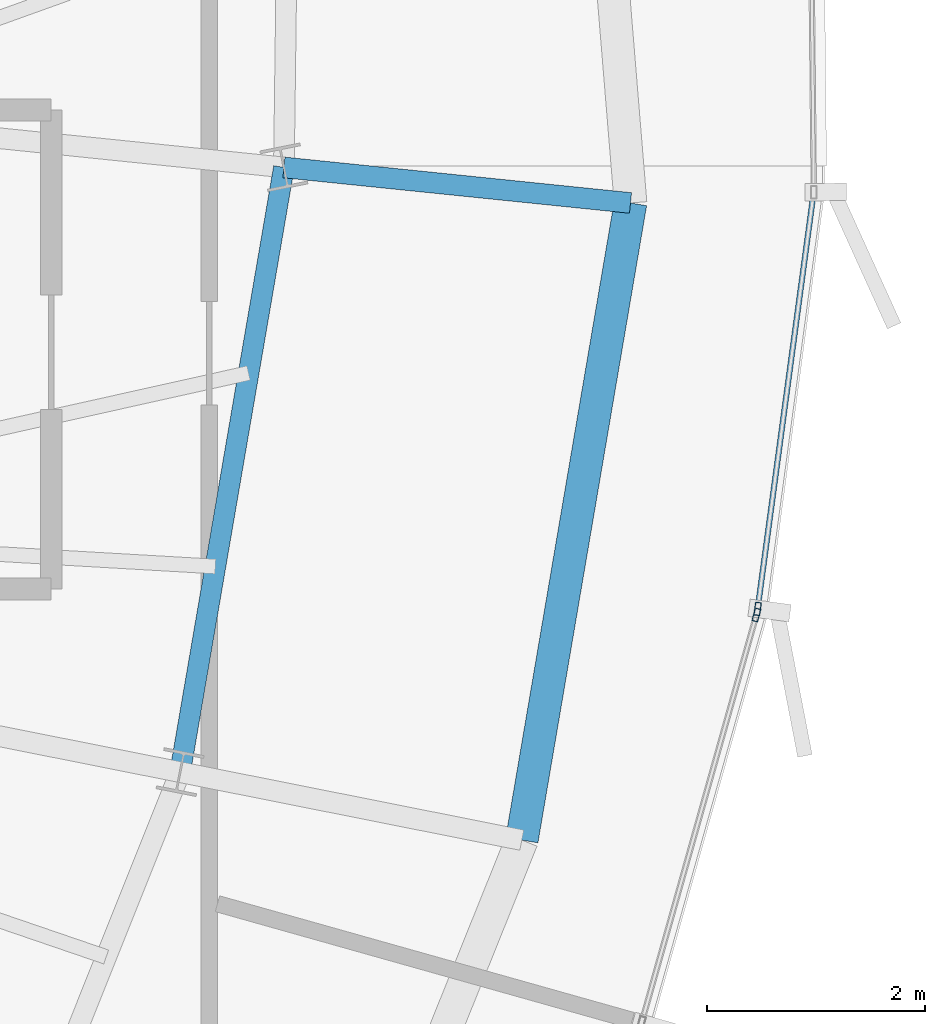
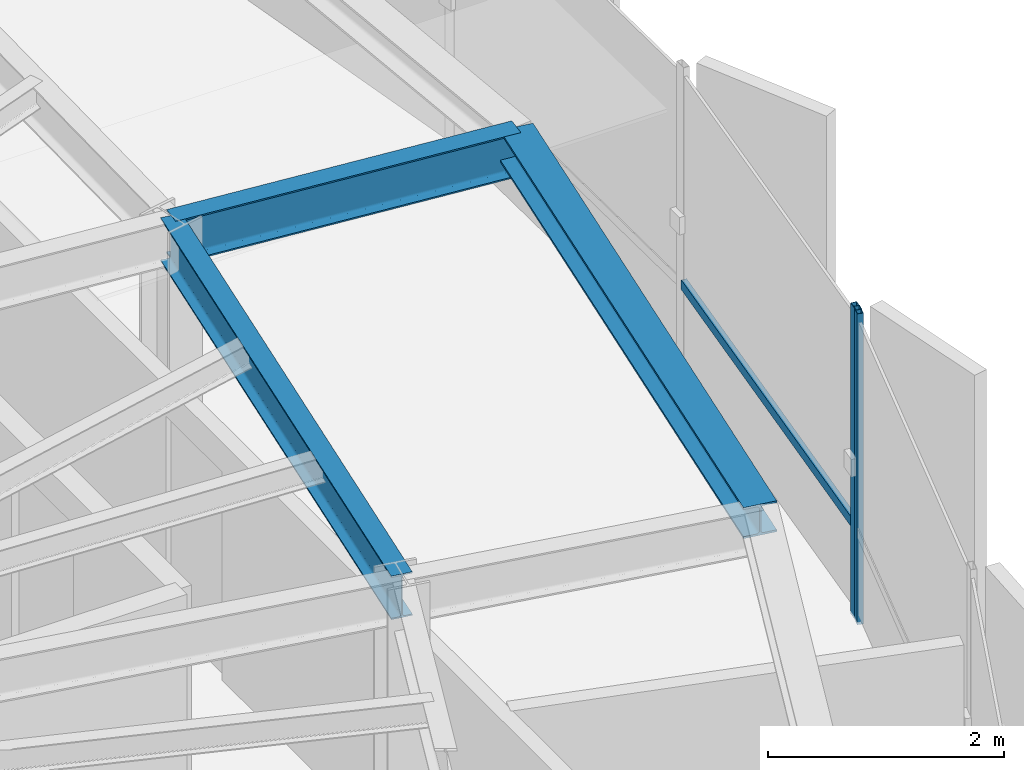
# One storey, part 15 of 31: 3 beams, 3 members, 2 elements without a shape of their own.
"""IFC4 building model written with IfcOpenShell, lengths in metres."""

from ifc_helpers import new_model, si_unit, direction, frame, origin, origin_2d, place, context, subcontext, project, spatial, hollow_rectangle, i_section, extrude, source, transform, mapped, material, layer, layer_set, material_profile, profile_set, type_object, element, aggregate, save


model = new_model("IFC4")

# Units and contexts
model_context = context("Model", 3, precision=1e-05, world=origin(), true_north=direction((0.0, 1.0)))
body_context = subcontext(model_context, "Body", "Model", "MODEL_VIEW")
ifc_project = project(units=[si_unit("LENGTHUNIT", "METRE"), si_unit("AREAUNIT", "SQUARE_METRE"), si_unit("VOLUMEUNIT", "CUBIC_METRE"), si_unit("PLANEANGLEUNIT", "RADIAN"), si_unit("MASSUNIT", "GRAM", prefix="KILO"), si_unit("THERMODYNAMICTEMPERATUREUNIT", "KELVIN")], contexts=[model_context])

# Site, building, storey
site_placement = place(None, origin())
site = spatial("IfcSite", under=ifc_project, at=site_placement, CompositionType="ELEMENT")
building_placement = place(site_placement, origin())
building = spatial("IfcBuilding", under=site, at=building_placement, Name="Kethvar Cultural Tower", CompositionType="ELEMENT")
storey_placement = place(building_placement, frame((0.0, 0.0, 283.60009765625)))
storey = spatial("IfcBuildingStorey", under=building, at=storey_placement, Name="L75", CompositionType="ELEMENT", Elevation=283.60009765625)

# Beams
ifc_material_1 = material(Name="Steel S355J2", Category="steel")
ifc_material_profile_1 = material_profile(ifc_material_1, i_section(OverallWidth=0.18994140625, OverallDepth=0.449951171875, WebThickness=0.009521484375, FlangeThickness=0.0146484375, FilletRadius=0.02099609375, at=origin_2d()), Name="Steel S355J2 — IPE450")
ifc_profile_set_1 = profile_set([ifc_material_profile_1], Name="Steel S355J2 — IPE450")
beam_type_1 = type_object("IfcBeamType", Name="BM-IPE450", PredefinedType="BEAM", material=ifc_profile_set_1)
shared_shape_1 = source(origin(), body_context, "Body", "SweptSolid", [
    extrude(i_section(OverallWidth=0.18994140625, OverallDepth=0.449951171875, WebThickness=0.009521484375, FlangeThickness=0.0146484375, FilletRadius=0.02099609375, at=origin_2d()), origin(), (0.0, 0.0, 1.0), 3.199951171875),
])
beam_1_placement = place(storey_placement, frame((61.237060546875, 30.671630859375, 2.98291015625), z_axis=(0.994784019447, -0.10200369921, 0.0), x_axis=(0.10200369921, 0.994784019447, 0.0)))
element("IfcBeam", 1, at=beam_1_placement, inside=storey, type_object=beam_type_1, Name="L75 Perimeter Cantilever Beam RC-01", PredefinedType="BEAM", context=body_context, shape_type="MappedRepresentation", body=[
    mapped(shared_shape_1, transform((0.0, 0.0, 0.0), scale=1.0)),
])
shared_shape_2 = source(origin(), body_context, "Body", "SweptSolid", [
    extrude(i_section(OverallWidth=0.18994140625, OverallDepth=0.449951171875, WebThickness=0.009521484375, FlangeThickness=0.0146484375, FilletRadius=0.02099609375, at=origin_2d()), origin(), (0.0, 0.0, 1.0), 5.635009765625),
])
beam_2_placement = place(storey_placement, frame((60.28369140625, 25.117919921875, 2.98291015625), z_axis=(0.169188687614, 0.985583678834, 0.0), x_axis=(-0.985583678834, 0.169188687614, 0.0)))
element("IfcBeam", 2, at=beam_2_placement, inside=storey, type_object=beam_type_1, Name="L75 Column Ring Tie Beam CR-16", PredefinedType="BEAM", context=body_context, shape_type="MappedRepresentation", body=[
    mapped(shared_shape_2, transform((0.0, 0.0, 0.0), scale=1.0)),
])
ifc_material_profile_2 = material_profile(ifc_material_1, i_section(OverallWidth=0.300048828125, OverallDepth=0.320068359375, WebThickness=0.011474609375, FlangeThickness=0.0205078125, FilletRadius=0.027099609375, at=origin_2d()), Name="Steel S355J2 — HEB320")
ifc_profile_set_2 = profile_set([ifc_material_profile_2], Name="Steel S355J2 — HEB320")
beam_type_2 = type_object("IfcBeamType", Name="BM-SP320", PredefinedType="SPANDREL", material=ifc_profile_set_2)
shared_shape_3 = source(origin(), body_context, "Body", "SweptSolid", [
    extrude(i_section(OverallWidth=0.300048828125, OverallDepth=0.320068359375, WebThickness=0.011474609375, FlangeThickness=0.0205078125, FilletRadius=0.027099609375, at=origin_2d()), origin(), (0.0, 0.0, 1.0), 5.93603515625),
])
beam_3_placement = place(storey_placement, frame((63.422119140625, 24.49365234375, 3.0478515625), z_axis=(0.16817267321, 0.985757552335, 0.0), x_axis=(-0.985757552335, 0.16817267321, 0.0)))
element("IfcBeam", 3, at=beam_3_placement, inside=storey, type_object=beam_type_2, Name="L75 Perimeter Spandrel Beam SP-16", PredefinedType="SPANDREL", context=body_context, shape_type="MappedRepresentation", body=[
    mapped(shared_shape_3, transform((0.0, 0.0, 0.0), scale=1.0)),
])

# Curtain wall, member
ifc_material_2 = material(Name="Aluminium 6063-T6", Category="aluminium")
ifc_layer = layer(ifc_material_2, 0.179931640625, Name="Aluminium 6063-T6", Category="aluminium")
ifc_layer_set = layer_set([ifc_layer], Name="Aluminium 6063-T6 (180 mm)")
curtain_wall_type = type_object("IfcCurtainWallType", Name="CW-SYS-05-Z56", PredefinedType="NOTDEFINED", material=ifc_layer_set)
curtain_wall_1_placement = place(storey_placement, origin())
curtain_wall_1 = element("IfcCurtainWall", 4, at=curtain_wall_1_placement, inside=storey, type_object=curtain_wall_type, Name="L75 Curtain Wall Run 05", PredefinedType="NOTDEFINED")
ifc_material_profile_3 = material_profile(ifc_material_2, hollow_rectangle(XDim=0.054931640625, YDim=0.1201171875, WallThickness=0.00390625, at=origin_2d()), Name="Aluminium 6063-T6 — RHS120x55x4")
ifc_profile_set_3 = profile_set([ifc_material_profile_3], Name="Aluminium 6063-T6 — RHS120x55x4")
member_type_1 = type_object("IfcMemberType", Name="CW-SYS-05-Z56-MUL", PredefinedType="MULLION", material=ifc_profile_set_3)
shared_shape_4 = source(origin(), body_context, "Body", "SweptSolid", [
    extrude(hollow_rectangle(XDim=0.054931640625, YDim=0.1201171875, WallThickness=0.00390625, at=origin_2d()), origin(), (0.0, 0.0, 1.0), 3.2099609375),
])
member_1_placement = place(storey_placement, frame((65.576416015625, 26.56103515625, 0.0), z_axis=(0.0, 0.0, 1.0), x_axis=(-0.962592501523, 0.270953272746, 0.0)))
member_1 = element("IfcMember", 5, at=member_1_placement, type_object=member_type_1, Name="CW-L75-R05 Mullion 7", PredefinedType="MULLION", context=body_context, shape_type="MappedRepresentation", body=[
    mapped(shared_shape_4, transform((0.0, 0.0, 0.0), scale=1.0)),
])
aggregate(curtain_wall_1, [member_1])

# Curtain wall, members
curtain_wall_2_placement = place(storey_placement, origin())
curtain_wall_2 = element("IfcCurtainWall", 6, at=curtain_wall_2_placement, inside=storey, type_object=curtain_wall_type, Name="L75 Curtain Wall Run 06", PredefinedType="NOTDEFINED")
member_2_placement = place(storey_placement, frame((65.587890625, 26.6171875, 0.0), z_axis=(0.0, 0.0, 1.0), x_axis=(-0.991074171639, 0.133311613564, 0.0)))
member_2 = element("IfcMember", 7, at=member_2_placement, type_object=member_type_1, Name="CW-L75-R06 Mullion 1", PredefinedType="MULLION", context=body_context, shape_type="MappedRepresentation", body=[
    mapped(shared_shape_4, transform((0.0, 0.0, 0.0), scale=1.0)),
])
ifc_material_profile_4 = material_profile(ifc_material_2, hollow_rectangle(XDim=0.050048828125, YDim=0.10009765625, WallThickness=0.00390625, at=origin_2d()), Name="Aluminium 6063-T6 — RHS100x50x4")
ifc_profile_set_4 = profile_set([ifc_material_profile_4], Name="Aluminium 6063-T6 — RHS100x50x4")
member_type_2 = type_object("IfcMemberType", Name="CW-SYS-05-Z56-TRN", PredefinedType="USERDEFINED", material=ifc_profile_set_4)
shared_shape_5 = source(origin(), body_context, "Body", "SweptSolid", [
    extrude(hollow_rectangle(XDim=0.050048828125, YDim=0.10009765625, WallThickness=0.00390625, at=origin_2d()), origin(), (0.0, 0.0, 1.0), 3.8330078125),
])
member_3_placement = place(storey_placement, frame((65.58837890625, 26.620849609375, 0.949951171875), z_axis=(0.133310952907, 0.991074260505, 0.0), x_axis=(-0.991074260505, 0.133310952907, 0.0)))
member_3 = element("IfcMember", 8, at=member_3_placement, type_object=member_type_2, Name="CW-L75-R06 Transom 1", ObjectType="TRANSOM", PredefinedType="USERDEFINED", context=body_context, shape_type="MappedRepresentation", body=[
    mapped(shared_shape_5, transform((0.0, 0.0, 0.0), scale=1.0)),
])
aggregate(curtain_wall_2, [member_2, member_3])

save(model, "model.ifc")
